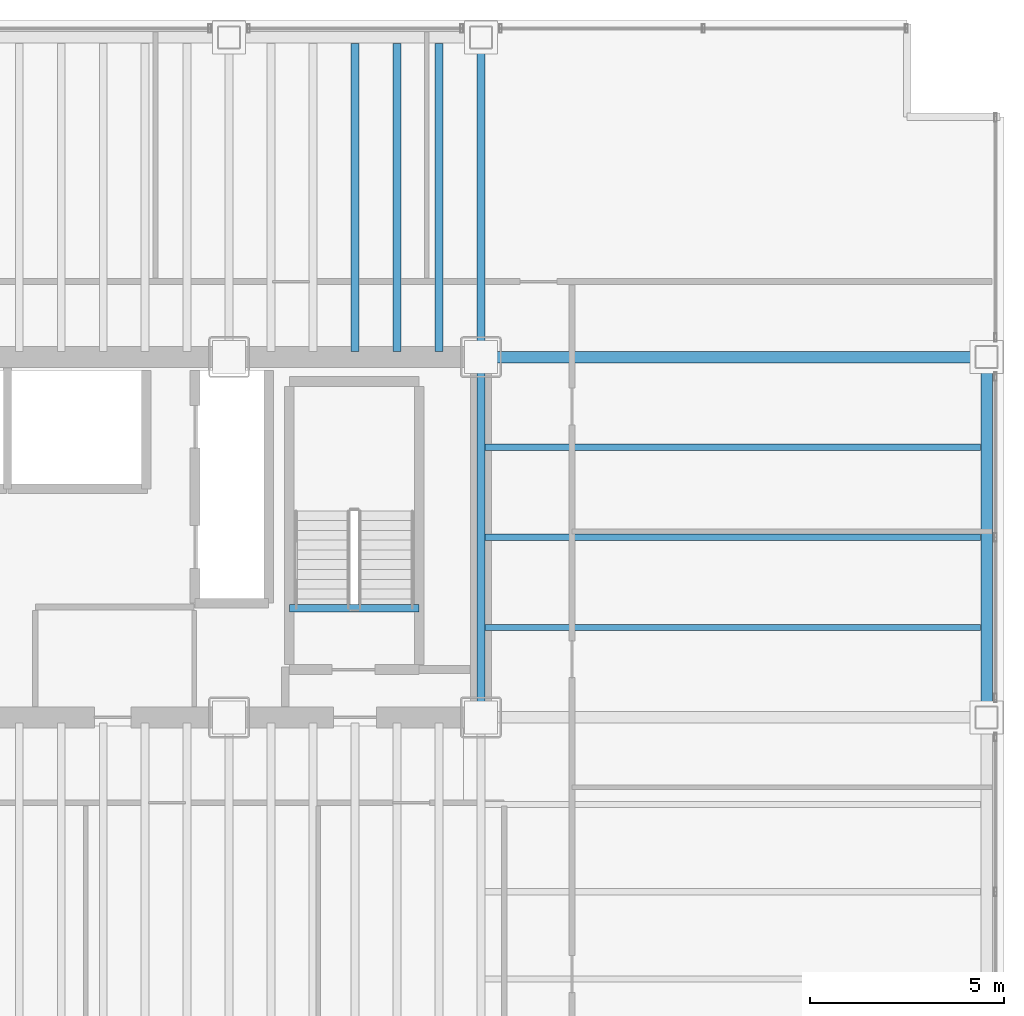
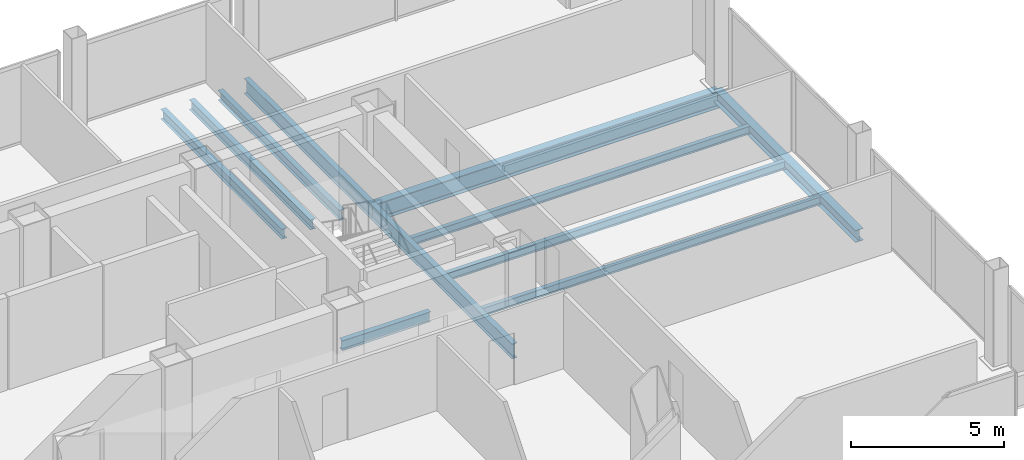
# One storey, part 11 of 20: 11 beams.
"""IFC4 building model written with IfcOpenShell, lengths in metres."""

from ifc_helpers import new_model, si_unit, direction, frame, origin, origin_2d, place, context, subcontext, project, spatial, i_section, extrude, material, material_profile, profile_set, type_object, element, save


model = new_model("IFC4")

# Units and contexts
model_context = context("Model", 3, precision=1e-05, world=origin(), true_north=direction((0.0, 1.0)))
body_context = subcontext(model_context, "Body", "Model", "MODEL_VIEW")
ifc_project = project(units=[si_unit("LENGTHUNIT", "METRE"), si_unit("AREAUNIT", "SQUARE_METRE"), si_unit("VOLUMEUNIT", "CUBIC_METRE"), si_unit("PLANEANGLEUNIT", "RADIAN"), si_unit("MASSUNIT", "GRAM", prefix="KILO")], contexts=[model_context])

# Site, building, storey
site_placement = place(None, origin())
site = spatial("IfcSite", under=ifc_project, at=site_placement, CompositionType="ELEMENT")
building_placement = place(site_placement, origin())
building = spatial("IfcBuilding", under=site, at=building_placement, Name="Noeulbin Bourse Tower", CompositionType="ELEMENT")
storey_placement = place(building_placement, frame((0.0, 0.0, 57.699951171875)))
storey = spatial("IfcBuildingStorey", under=building, at=storey_placement, Name="L14", CompositionType="ELEMENT", Elevation=57.699951171875)

# Beams
ifc_material = material(Name="Steel S355", Category="steel")
ifc_material_profile_1 = material_profile(ifc_material, i_section(OverallWidth=0.199951171875, OverallDepth=0.60009765625, WebThickness=0.010986328125, FlangeThickness=0.01708984375, FilletRadius=0.02197265625, at=origin_2d()), Name="H-600x200x11x17", Category="LoadBearing")
ifc_profile_set_1 = profile_set([ifc_material_profile_1], Name="Steel S355")
beam_type_1 = type_object("IfcBeamType", Name="BM-GRD-600", PredefinedType="USERDEFINED", material=ifc_profile_set_1)
beam_1_placement = place(storey_placement, frame((44.0, 29.0, -0.47998046875), z_axis=(0.0, 1.0, 0.0), x_axis=(-1.0, 0.0, 0.0)))
element("IfcBeam", 1, at=beam_1_placement, inside=storey, type_object=beam_type_1, Name="Tower Primary Girder NS L14-5.3", ObjectType="GIRDER", PredefinedType="USERDEFINED", context=body_context, shape_type="SweptSolid", body=[
    extrude(i_section(OverallWidth=0.199951171875, OverallDepth=0.60009765625, WebThickness=0.010986328125, FlangeThickness=0.01708984375, FilletRadius=0.02197265625, at=origin_2d()), origin(), (0.0, 0.0, 1.0), 9.300048828125),
])
beam_2_placement = place(storey_placement, frame((44.0, 38.300048828125, -0.47998046875), z_axis=(0.0, 1.0, 0.0), x_axis=(-1.0, 0.0, 0.0)))
element("IfcBeam", 2, at=beam_2_placement, inside=storey, type_object=beam_type_1, Name="Tower Primary Girder NS L14-5.4", ObjectType="GIRDER", PredefinedType="USERDEFINED", context=body_context, shape_type="SweptSolid", body=[
    extrude(i_section(OverallWidth=0.199951171875, OverallDepth=0.60009765625, WebThickness=0.010986328125, FlangeThickness=0.01708984375, FilletRadius=0.02197265625, at=origin_2d()), origin(), (0.0, 0.0, 1.0), 8.25),
])
ifc_material_profile_2 = material_profile(ifc_material, i_section(OverallWidth=0.300048828125, OverallDepth=0.699951171875, WebThickness=0.012939453125, FlangeThickness=0.02392578125, FilletRadius=0.02392578125, at=origin_2d()), Name="H-700x300x13x24", Category="LoadBearing")
ifc_profile_set_2 = profile_set([ifc_material_profile_2], Name="Steel S355")
beam_type_2 = type_object("IfcBeamType", Name="BM-GRD-700", PredefinedType="USERDEFINED", material=ifc_profile_set_2)
beam_3_placement = place(storey_placement, frame((44.0, 38.300048828125, -0.530029296875), z_axis=(1.0, 0.0, 0.0), x_axis=(0.0, 1.0, 0.0)))
element("IfcBeam", 3, at=beam_3_placement, inside=storey, type_object=beam_type_2, Name="Tower Primary Girder EW L14-3.6", ObjectType="GIRDER", PredefinedType="USERDEFINED", context=body_context, shape_type="SweptSolid", body=[
    extrude(i_section(OverallWidth=0.300048828125, OverallDepth=0.699951171875, WebThickness=0.012939453125, FlangeThickness=0.02392578125, FilletRadius=0.02392578125, at=origin_2d()), origin(), (0.0, 0.0, 1.0), 13.050048828125),
])
ifc_material_profile_3 = material_profile(ifc_material, i_section(OverallWidth=0.159912109375, OverallDepth=0.320068359375, WebThickness=0.006591796875, FlangeThickness=0.010009765625, FilletRadius=0.012939453125, at=origin_2d()), Name="H-320x160x6.5x10", Category="LoadBearing")
ifc_profile_set_3 = profile_set([ifc_material_profile_3], Name="Steel S355")
beam_type_3 = type_object("IfcBeamType", Name="BM-JST-320", PredefinedType="JOIST", material=ifc_profile_set_3)
for number, where, z_axis, x_axis, name in (
    (4, (44.10009765625, 31.324951171875, -0.33984375), (1.0, 0.0, 0.0), (0.0, 1.0, 0.0), "Wing Composite Joist L14-E79"),
    (5, (44.10009765625, 33.64990234375, -0.33984375), (1.0, 0.0, 0.0), (0.0, 1.0, 0.0), "Wing Composite Joist L14-E80"),
    (6, (44.10009765625, 35.97509765625, -0.33984375), (1.0, 0.0, 0.0), (0.0, 1.0, 0.0), "Wing Composite Joist L14-E81"),
):
    element("IfcBeam", number, at=place(storey_placement, frame(where, z_axis=z_axis, x_axis=x_axis)), inside=storey, type_object=beam_type_3, Name=name, PredefinedType="JOIST", context=body_context, shape_type="SweptSolid", body=[
        extrude(i_section(OverallWidth=0.159912109375, OverallDepth=0.320068359375, WebThickness=0.006591796875, FlangeThickness=0.010009765625, FilletRadius=0.012939453125, at=origin_2d()), origin(), (0.0, 0.0, 1.0), 12.7998046875),
    ])
ifc_material_profile_4 = material_profile(ifc_material, i_section(OverallWidth=0.199951171875, OverallDepth=0.39990234375, WebThickness=0.008056640625, FlangeThickness=0.012939453125, FilletRadius=0.01611328125, at=origin_2d()), Name="H-400x200x8x13", Category="LoadBearing")
ifc_profile_set_4 = profile_set([ifc_material_profile_4], Name="Steel S355")
beam_type_4 = type_object("IfcBeamType", Name="BM-SEC-400", PredefinedType="BEAM", material=ifc_profile_set_4)
for number, where, z_axis, x_axis, name in (
    (7, (40.75, 38.449951171875, -0.3798828125), (0.0, 1.0, 0.0), (-1.0, 0.0, 0.0), "Tower Composite Joist L14-63"),
    (8, (41.833251953125, 38.449951171875, -0.3798828125), (0.0, 1.0, 0.0), (-1.0, 0.0, 0.0), "Tower Composite Joist L14-66"),
    (9, (42.916748046875, 38.449951171875, -0.3798828125), (0.0, 1.0, 0.0), (-1.0, 0.0, 0.0), "Tower Composite Joist L14-69"),
):
    element("IfcBeam", number, at=place(storey_placement, frame(where, z_axis=z_axis, x_axis=x_axis)), inside=storey, type_object=beam_type_4, Name=name, PredefinedType="BEAM", context=body_context, shape_type="SweptSolid", body=[
        extrude(i_section(OverallWidth=0.199951171875, OverallDepth=0.39990234375, WebThickness=0.008056640625, FlangeThickness=0.012939453125, FilletRadius=0.01611328125, at=origin_2d()), origin(), (0.0, 0.0, 1.0), 7.949951171875),
    ])
beam_4_placement = place(storey_placement, frame((39.06005859375, 31.820068359375, -0.199951171875), z_axis=(1.0, 0.0, 0.0), x_axis=(0.0, 1.0, 0.0)))
element("IfcBeam", 10, at=beam_4_placement, inside=storey, type_object=beam_type_4, Name="Stair Threshold Trimmer Beam ST2-L14", PredefinedType="BEAM", context=body_context, shape_type="SweptSolid", body=[
    extrude(i_section(OverallWidth=0.199951171875, OverallDepth=0.39990234375, WebThickness=0.008056640625, FlangeThickness=0.012939453125, FilletRadius=0.01611328125, at=origin_2d()), origin(), (0.0, 0.0, 1.0), 3.33984375),
])
ifc_material_profile_5 = material_profile(ifc_material, i_section(OverallWidth=0.300048828125, OverallDepth=0.488037109375, WebThickness=0.010986328125, FlangeThickness=0.01806640625, FilletRadius=0.02197265625, at=origin_2d()), Name="H-488x300x11x18", Category="LoadBearing")
ifc_profile_set_5 = profile_set([ifc_material_profile_5], Name="Steel S355")
beam_type_5 = type_object("IfcBeamType", Name="BM-SPN-488", PredefinedType="SPANDREL", material=ifc_profile_set_5)
beam_5_placement = place(storey_placement, frame((57.050048828125, 29.0, -0.424072265625), z_axis=(0.0, 1.0, 0.0), x_axis=(-1.0, 0.0, 0.0)))
element("IfcBeam", 11, at=beam_5_placement, inside=storey, type_object=beam_type_5, Name="East Spandrel L14-2", PredefinedType="SPANDREL", context=body_context, shape_type="SweptSolid", body=[
    extrude(i_section(OverallWidth=0.300048828125, OverallDepth=0.488037109375, WebThickness=0.010986328125, FlangeThickness=0.01806640625, FilletRadius=0.02197265625, at=origin_2d()), origin(), (0.0, 0.0, 1.0), 9.300048828125),
])

save(model, "model.ifc")
